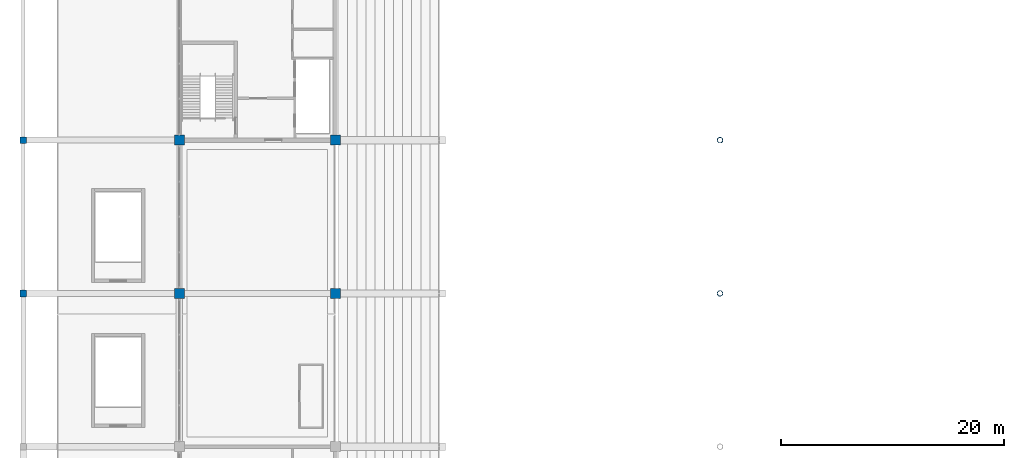
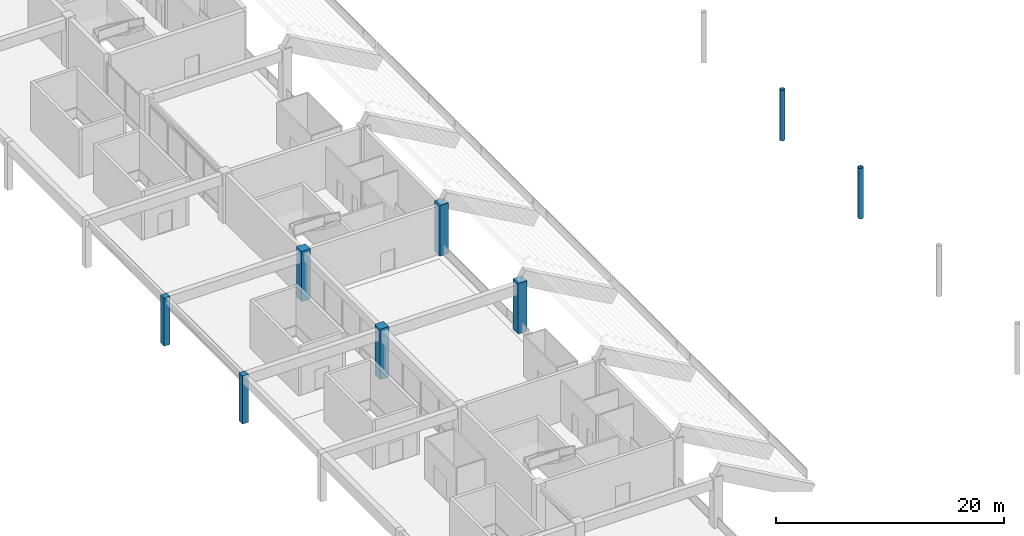
# One storey, part 3 of 90: 8 columns.
"""IFC4 building model written with IfcOpenShell, lengths in metres."""

from ifc_helpers import new_model, si_unit, direction, frame, origin, origin_2d, place, context, subcontext, project, spatial, rectangle, hollow_circle, extrude, material, material_profile, profile_set, type_object, element, save


model = new_model("IFC4")

# Units and contexts
model_context = context("Model", 3, precision=1e-05, world=origin(), true_north=direction((0.0, 1.0)))
body_context = subcontext(model_context, "Body", "Model", "MODEL_VIEW")
ifc_project = project(units=[si_unit("LENGTHUNIT", "METRE"), si_unit("AREAUNIT", "SQUARE_METRE"), si_unit("VOLUMEUNIT", "CUBIC_METRE"), si_unit("PLANEANGLEUNIT", "RADIAN"), si_unit("MASSUNIT", "GRAM", prefix="KILO")], contexts=[model_context])

# Site, building, storey
site_placement = place(None, origin())
site = spatial("IfcSite", under=ifc_project, at=site_placement, CompositionType="ELEMENT")
building_placement = place(site_placement, origin())
building = spatial("IfcBuilding", under=site, at=building_placement, Name="Linyun Crest Stadium", CompositionType="ELEMENT")
storey_placement = place(building_placement, frame((0.0, 0.0, 21.0)))
storey = spatial("IfcBuildingStorey", under=building, at=storey_placement, Name="L05", CompositionType="ELEMENT", Elevation=21.0)

# Columns
ifc_material_1 = material(Name="Concrete C50", Category="concrete")
ifc_material_profile_1 = material_profile(ifc_material_1, rectangle(XDim=0.60009765625, YDim=0.60009765625, at=origin_2d()), Name="RC 600x600")
ifc_profile_set_1 = profile_set([ifc_material_profile_1], Name="Concrete C50")
column_type_1 = type_object("IfcColumnType", Name="C01", PredefinedType="COLUMN", material=ifc_profile_set_1)
for number, where, z_axis, x_axis, name in (
    (1, (-98.0, -11.625, 0.0), (0.0, 0.0, 1.0), (1.0, 0.0, 0.0), "Column C01 L05 24"),
    (2, (-98.0, 2.125, 0.0), (0.0, 0.0, 1.0), (1.0, 0.0, 0.0), "Column C01 L05 30"),
):
    element("IfcColumn", number, at=place(storey_placement, frame(where, z_axis=z_axis, x_axis=x_axis)), inside=storey, type_object=column_type_1, Name=name, PredefinedType="COLUMN", context=body_context, shape_type="SweptSolid", body=[
        extrude(rectangle(XDim=0.60009765625, YDim=0.60009765625, at=origin_2d()), origin(), (0.0, 0.0, 1.0), 5.159912109375),
    ])
ifc_material_2 = material(Name="Concrete C50", Category="concrete")
ifc_material_profile_2 = material_profile(ifc_material_2, rectangle(XDim=0.89990234375, YDim=0.89990234375, at=origin_2d()), Name="RC 900x900")
ifc_profile_set_2 = profile_set([ifc_material_profile_2], Name="Concrete C50")
column_type_2 = type_object("IfcColumnType", Name="C04", PredefinedType="COLUMN", material=ifc_profile_set_2)
for number, where, z_axis, x_axis, name in (
    (3, (-84.0, -11.625, 0.0), (0.0, 0.0, 1.0), (1.0, 0.0, 0.0), "Column C04 L05 75"),
    (4, (-84.0, 2.125, 0.0), (0.0, 0.0, 1.0), (1.0, 0.0, 0.0), "Column C04 L05 82"),
    (5, (-70.0, -11.625, 0.0), (0.0, 0.0, 1.0), (1.0, 0.0, 0.0), "Column C04 L05 171"),
    (6, (-70.0, 2.125, 0.0), (0.0, 0.0, 1.0), (1.0, 0.0, 0.0), "Column C04 L05 178"),
):
    element("IfcColumn", number, at=place(storey_placement, frame(where, z_axis=z_axis, x_axis=x_axis)), inside=storey, type_object=column_type_2, Name=name, PredefinedType="COLUMN", context=body_context, shape_type="SweptSolid", body=[
        extrude(rectangle(XDim=0.89990234375, YDim=0.89990234375, at=origin_2d()), origin(), (0.0, 0.0, 1.0), 5.39794921875),
    ])
ifc_material_3 = material(Name="Steel Q355C", Category="steel")
ifc_material_profile_3 = material_profile(ifc_material_3, hollow_circle(Radius=0.25390625, WallThickness=0.02490234375, at=origin_2d()), Name="CHS 508x25")
ifc_profile_set_3 = profile_set([ifc_material_profile_3], Name="Steel Q355C")
column_type_3 = type_object("IfcColumnType", Name="SC05", PredefinedType="COLUMN", material=ifc_profile_set_3)
for number, where, z_axis, x_axis, name in (
    (7, (-35.5, -11.625, 0.0), (0.0, 0.0, 1.0), (1.0, 0.0, 0.0), "Arch colonnade column SC05 L05 8"),
    (8, (-35.5, 2.125, 0.0), (0.0, 0.0, 1.0), (1.0, 0.0, 0.0), "Arch colonnade column SC05 L05 10"),
):
    element("IfcColumn", number, at=place(storey_placement, frame(where, z_axis=z_axis, x_axis=x_axis)), inside=storey, type_object=column_type_3, Name=name, PredefinedType="COLUMN", context=body_context, shape_type="SweptSolid", body=[
        extrude(hollow_circle(Radius=0.25390625, WallThickness=0.02490234375, at=origin_2d()), origin(), (0.0, 0.0, 1.0), 5.39990234375),
    ])

save(model, "model.ifc")
